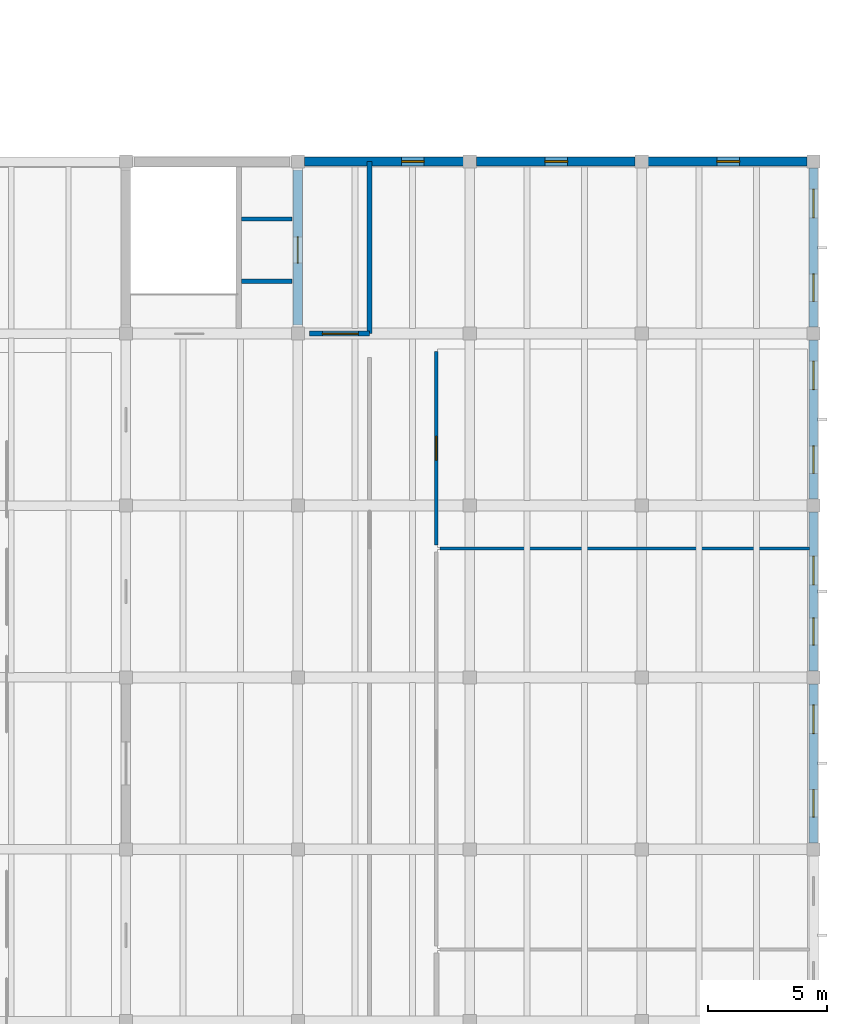
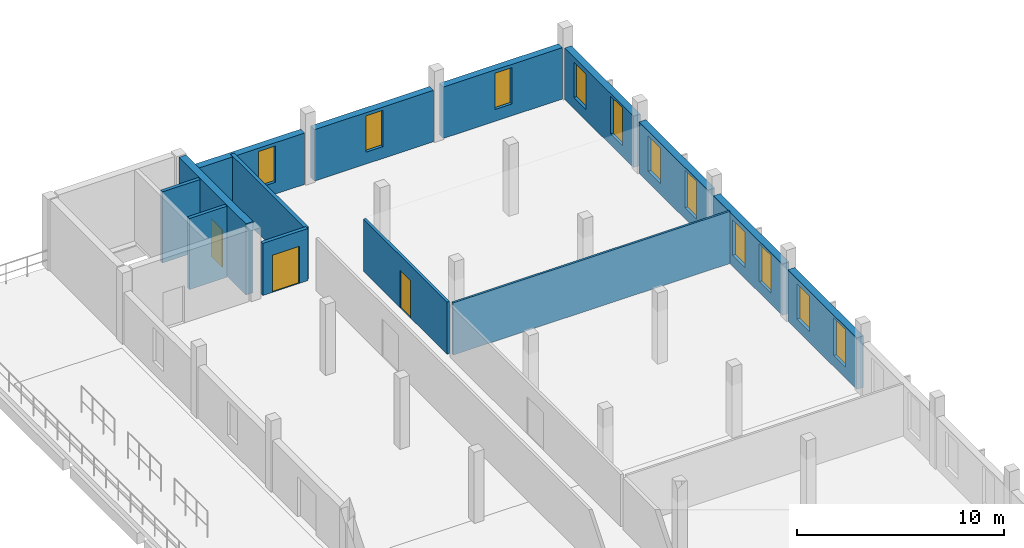
# One storey, part 57 of 63: 14 walls, 11 windows, 3 doors, 14 openings.
"""IFC4 building model written with IfcOpenShell, lengths in metres."""

from ifc_helpers import new_model, si_unit, direction, frame, frame_2d, origin, place, context, subcontext, project, spatial, rectangle, extrude, material, layer, layer_set, type_object, element, fill, save


model = new_model("IFC4")

# Units and contexts
model_context = context("Model", 3, precision=1e-05, world=origin(), true_north=direction((0.0, 1.0)))
body_context = subcontext(model_context, "Body", "Model", "MODEL_VIEW")
ifc_project = project(units=[si_unit("LENGTHUNIT", "METRE"), si_unit("AREAUNIT", "SQUARE_METRE"), si_unit("VOLUMEUNIT", "CUBIC_METRE"), si_unit("PLANEANGLEUNIT", "RADIAN"), si_unit("MASSUNIT", "GRAM", prefix="KILO")], contexts=[model_context])

# Site, building, storey
site_placement = place(None, origin())
site = spatial("IfcSite", under=ifc_project, at=site_placement, CompositionType="ELEMENT")
building_placement = place(site_placement, origin())
building = spatial("IfcBuilding", under=site, at=building_placement, Name="Qiaolan Assembly House", CompositionType="ELEMENT")
storey_placement = place(building_placement, frame((0.0, 0.0, 14.39990234375)))
storey = spatial("IfcBuildingStorey", under=building, at=storey_placement, Name="L03", CompositionType="ELEMENT", Elevation=14.39990234375)

# Wall, opening, door
ifc_material_1 = material(Name="Concrete C45/55", Category="concrete")
ifc_layer_1 = layer(ifc_material_1, 0.39990234375)
ifc_layer_set_1 = layer_set([ifc_layer_1], Name="Concrete C45/55")
wall_type_1 = type_object("IfcWallType", Name="WAL-CORE-400", PredefinedType="SHEAR", material=ifc_layer_set_1)
wall_1_placement = place(storey_placement, frame((151.199951171875, 79.550048828125, 0.0), z_axis=(0.0, 0.0, 1.0), x_axis=(0.0, 1.0, 0.0)))
wall_1 = element("IfcWall", 1, at=wall_1_placement, inside=storey, type_object=wall_type_1, Name="CW-400 shear core wall CORE-F E L03", PredefinedType="SHEAR", context=body_context, shape_type="SweptSolid", body=[
    extrude(rectangle(XDim=6.5, YDim=0.39990234375, at=frame_2d((3.25, 0.0))), origin(), (0.0, 0.0, 1.0), 4.2001953125),
])
opening_1_placement = place(wall_1_placement, frame((2.60009765625, 0.0, 0.0)))
opening_1 = element("IfcOpeningElement", 2, at=opening_1_placement, cuts=wall_1, Name="Opening LD-073", PredefinedType="OPENING", context=body_context, shape_type="SweptSolid", body=[
    extrude(rectangle(XDim=1.10009765625, YDim=2.199951171875, at=frame_2d((0.550048828125, 1.10009765625))), frame((0.0, 0.2099609375, 0.0), z_axis=(0.0, -1.0, 0.0), x_axis=(1.0, 0.0, 0.0)), (0.0, 0.0, 1.0), 0.419921875),
])
ifc_material_2 = material(Name="Anodised bronze aluminium", Category="aluminium")
door_type_1 = type_object("IfcDoorType", Name="DOR-LIFT-LD1100", OperationType="SLIDING_TO_LEFT", PredefinedType="DOOR", material=ifc_material_2)
door_1_placement = place(opening_1_placement, origin())
door_1 = element("IfcDoor", 3, at=door_1_placement, inside=storey, type_object=door_type_1, Name="Lift landing door LD-073 (LF-10 L03)", OperationType="SLIDING_TO_LEFT", OverallHeight=2.199951171875, OverallWidth=1.10009765625, PredefinedType="DOOR", context=body_context, shape_type="SweptSolid", body=[
    extrude(rectangle(XDim=1.10009765625, YDim=2.199951171875, at=frame_2d((0.550048828125, 1.10009765625))), frame((0.0, 0.02490234375, 0.0), z_axis=(0.0, -1.0, 0.0), x_axis=(1.0, 0.0, 0.0)), (0.0, 0.0, 1.0), 0.050048828125),
])
fill(opening_1, door_1)

# Wall, openings, windows
ifc_material_3 = material(Name="Honed pale limestone", Category="masonry")
ifc_layer_2 = layer(ifc_material_3, 0.3798828125)
ifc_layer_set_2 = layer_set([ifc_layer_2], Name="Honed pale limestone")
wall_type_2 = type_object("IfcWallType", Name="WAL-EXT-LIB-380", PredefinedType="SOLIDWALL", material=ifc_layer_set_2)
wall_2_placement = place(storey_placement, frame((172.800048828125, 64.527099609375, 0.0), z_axis=(0.0, 0.0, 1.0), x_axis=(0.0, -1.0, 0.0)))
wall_2 = element("IfcWall", 4, at=wall_2_placement, inside=storey, type_object=wall_type_2, Name="Library East avenue wall L03-5", PredefinedType="SOLIDWALL", context=body_context, shape_type="SweptSolid", body=[
    extrude(rectangle(XDim=6.654052734375, YDim=0.3798828125, at=frame_2d((3.3271484375, 0.0))), origin(), (0.0, 0.0, 1.0), 3.0400390625),
])
opening_2_placement = place(wall_2_placement, frame((0.876953125, 0.0, 0.64990234375)))
opening_2 = element("IfcOpeningElement", 5, at=opening_2_placement, cuts=wall_2, Name="Opening WN-497", PredefinedType="OPENING", context=body_context, shape_type="SweptSolid", body=[
    extrude(rectangle(XDim=1.199951171875, YDim=2.10009765625, at=frame_2d((0.60009765625, 1.050048828125))), frame((0.0, 0.199951171875, 0.0), z_axis=(0.0, -1.0, 0.0), x_axis=(1.0, 0.0, 0.0)), (0.0, 0.0, 1.0), 0.39990234375),
])
opening_3_placement = place(wall_2_placement, frame((4.427001953125, 0.0, 0.64990234375)))
opening_3 = element("IfcOpeningElement", 6, at=opening_3_placement, cuts=wall_2, Name="Opening WN-498", PredefinedType="OPENING", context=body_context, shape_type="SweptSolid", body=[
    extrude(rectangle(XDim=1.14990234375, YDim=2.239990234375, at=frame_2d((0.574951171875, 1.1201171875))), frame((0.0, 0.199951171875, 0.0), z_axis=(0.0, -1.0, 0.0), x_axis=(1.0, 0.0, 0.0)), (0.0, 0.0, 1.0), 0.39990234375),
])
ifc_material_4 = material(Name="Low-E double insulating glass", Category="glass")
window_type_1 = type_object("IfcWindowType", Name="WIN-ATTIC-1200x2100", PartitioningType="DOUBLE_PANEL_VERTICAL", PredefinedType="WINDOW", material=ifc_material_4)
window_1_placement = place(opening_2_placement, origin())
window_1 = element("IfcWindow", 7, at=window_1_placement, inside=storey, type_object=window_type_1, Name="Library reading window WN-497", OverallHeight=2.10009765625, OverallWidth=1.199951171875, PartitioningType="DOUBLE_PANEL_VERTICAL", PredefinedType="WINDOW", context=body_context, shape_type="SweptSolid", body=[
    extrude(rectangle(XDim=1.199951171875, YDim=2.10009765625, at=frame_2d((0.60009765625, 1.050048828125))), frame((0.0, 0.030029296875, 0.0), z_axis=(0.0, -1.0, 0.0), x_axis=(1.0, 0.0, 0.0)), (0.0, 0.0, 1.0), 0.06005859375),
])
fill(opening_2, window_1)
window_type_2 = type_object("IfcWindowType", Name="WIN-LIB-CARREL-1150x2300", PartitioningType="SINGLE_PANEL", PredefinedType="WINDOW", material=ifc_material_4)
window_2_placement = place(opening_3_placement, origin())
window_2 = element("IfcWindow", 8, at=window_2_placement, inside=storey, type_object=window_type_2, Name="Library reading window WN-498", OverallHeight=2.239990234375, OverallWidth=1.14990234375, PartitioningType="SINGLE_PANEL", PredefinedType="WINDOW", context=body_context, shape_type="SweptSolid", body=[
    extrude(rectangle(XDim=1.14990234375, YDim=2.239990234375, at=frame_2d((0.574951171875, 1.1201171875))), frame((0.0, 0.030029296875, 0.0), z_axis=(0.0, -1.0, 0.0), x_axis=(1.0, 0.0, 0.0)), (0.0, 0.0, 1.0), 0.06005859375),
])
fill(opening_3, window_2)

wall_3_placement = place(storey_placement, frame((172.800048828125, 71.72705078125, 0.0), z_axis=(0.0, 0.0, 1.0), x_axis=(0.0, -1.0, 0.0)))
wall_3 = element("IfcWall", 9, at=wall_3_placement, inside=storey, type_object=wall_type_2, Name="Library East avenue wall L03-6", PredefinedType="SOLIDWALL", context=body_context, shape_type="SweptSolid", body=[
    extrude(rectangle(XDim=6.654052734375, YDim=0.3798828125, at=frame_2d((3.3271484375, 0.0))), origin(), (0.0, 0.0, 1.0), 3.0400390625),
])
opening_4_placement = place(wall_3_placement, frame((1.846923828125, 0.0, 0.64990234375)))
opening_4 = element("IfcOpeningElement", 10, at=opening_4_placement, cuts=wall_3, Name="Opening WN-499", PredefinedType="OPENING", context=body_context, shape_type="SweptSolid", body=[
    extrude(rectangle(XDim=1.199951171875, YDim=2.10009765625, at=frame_2d((0.60009765625, 1.050048828125))), frame((0.0, 0.199951171875, 0.0), z_axis=(0.0, -1.0, 0.0), x_axis=(1.0, 0.0, 0.0)), (0.0, 0.0, 1.0), 0.39990234375),
])
opening_5_placement = place(wall_3_placement, frame((4.427001953125, 0.0, 0.64990234375)))
opening_5 = element("IfcOpeningElement", 11, at=opening_5_placement, cuts=wall_3, Name="Opening WN-500", PredefinedType="OPENING", context=body_context, shape_type="SweptSolid", body=[
    extrude(rectangle(XDim=1.14990234375, YDim=2.239990234375, at=frame_2d((0.574951171875, 1.1201171875))), frame((0.0, 0.199951171875, 0.0), z_axis=(0.0, -1.0, 0.0), x_axis=(1.0, 0.0, 0.0)), (0.0, 0.0, 1.0), 0.39990234375),
])
window_3_placement = place(opening_4_placement, origin())
window_3 = element("IfcWindow", 12, at=window_3_placement, inside=storey, type_object=window_type_1, Name="Library reading window WN-499", OverallHeight=2.10009765625, OverallWidth=1.199951171875, PartitioningType="DOUBLE_PANEL_VERTICAL", PredefinedType="WINDOW", context=body_context, shape_type="SweptSolid", body=[
    extrude(rectangle(XDim=1.199951171875, YDim=2.10009765625, at=frame_2d((0.60009765625, 1.050048828125))), frame((0.0, 0.030029296875, 0.0), z_axis=(0.0, -1.0, 0.0), x_axis=(1.0, 0.0, 0.0)), (0.0, 0.0, 1.0), 0.06005859375),
])
fill(opening_4, window_3)
window_4_placement = place(opening_5_placement, origin())
window_4 = element("IfcWindow", 13, at=window_4_placement, inside=storey, type_object=window_type_2, Name="Library reading window WN-500", OverallHeight=2.239990234375, OverallWidth=1.14990234375, PartitioningType="SINGLE_PANEL", PredefinedType="WINDOW", context=body_context, shape_type="SweptSolid", body=[
    extrude(rectangle(XDim=1.14990234375, YDim=2.239990234375, at=frame_2d((0.574951171875, 1.1201171875))), frame((0.0, 0.030029296875, 0.0), z_axis=(0.0, -1.0, 0.0), x_axis=(1.0, 0.0, 0.0)), (0.0, 0.0, 1.0), 0.06005859375),
])
fill(opening_5, window_4)

wall_4_placement = place(storey_placement, frame((172.800048828125, 78.927001953125, 0.0), z_axis=(0.0, 0.0, 1.0), x_axis=(0.0, -1.0, 0.0)))
wall_4 = element("IfcWall", 14, at=wall_4_placement, inside=storey, type_object=wall_type_2, Name="Library East avenue wall L03-7", PredefinedType="SOLIDWALL", context=body_context, shape_type="SweptSolid", body=[
    extrude(rectangle(XDim=6.654052734375, YDim=0.3798828125, at=frame_2d((3.3271484375, 0.0))), origin(), (0.0, 0.0, 1.0), 3.0400390625),
])
opening_6_placement = place(wall_4_placement, frame((0.876953125, 0.0, 0.64990234375)))
opening_6 = element("IfcOpeningElement", 15, at=opening_6_placement, cuts=wall_4, Name="Opening WN-502", PredefinedType="OPENING", context=body_context, shape_type="SweptSolid", body=[
    extrude(rectangle(XDim=1.199951171875, YDim=2.10009765625, at=frame_2d((0.60009765625, 1.050048828125))), frame((0.0, 0.199951171875, 0.0), z_axis=(0.0, -1.0, 0.0), x_axis=(1.0, 0.0, 0.0)), (0.0, 0.0, 1.0), 0.39990234375),
])
opening_7_placement = place(wall_4_placement, frame((4.427001953125, 0.0, 0.64990234375)))
opening_7 = element("IfcOpeningElement", 16, at=opening_7_placement, cuts=wall_4, Name="Opening WN-503", PredefinedType="OPENING", context=body_context, shape_type="SweptSolid", body=[
    extrude(rectangle(XDim=1.14990234375, YDim=2.239990234375, at=frame_2d((0.574951171875, 1.1201171875))), frame((0.0, 0.199951171875, 0.0), z_axis=(0.0, -1.0, 0.0), x_axis=(1.0, 0.0, 0.0)), (0.0, 0.0, 1.0), 0.39990234375),
])
window_5_placement = place(opening_6_placement, origin())
window_5 = element("IfcWindow", 17, at=window_5_placement, inside=storey, type_object=window_type_1, Name="Library reading window WN-502", OverallHeight=2.10009765625, OverallWidth=1.199951171875, PartitioningType="DOUBLE_PANEL_VERTICAL", PredefinedType="WINDOW", context=body_context, shape_type="SweptSolid", body=[
    extrude(rectangle(XDim=1.199951171875, YDim=2.10009765625, at=frame_2d((0.60009765625, 1.050048828125))), frame((0.0, 0.030029296875, 0.0), z_axis=(0.0, -1.0, 0.0), x_axis=(1.0, 0.0, 0.0)), (0.0, 0.0, 1.0), 0.06005859375),
])
fill(opening_6, window_5)
window_6_placement = place(opening_7_placement, origin())
window_6 = element("IfcWindow", 18, at=window_6_placement, inside=storey, type_object=window_type_2, Name="Library reading window WN-503", OverallHeight=2.239990234375, OverallWidth=1.14990234375, PartitioningType="SINGLE_PANEL", PredefinedType="WINDOW", context=body_context, shape_type="SweptSolid", body=[
    extrude(rectangle(XDim=1.14990234375, YDim=2.239990234375, at=frame_2d((0.574951171875, 1.1201171875))), frame((0.0, 0.030029296875, 0.0), z_axis=(0.0, -1.0, 0.0), x_axis=(1.0, 0.0, 0.0)), (0.0, 0.0, 1.0), 0.06005859375),
])
fill(opening_7, window_6)

wall_5_placement = place(storey_placement, frame((172.800048828125, 86.126953125, 0.0), z_axis=(0.0, 0.0, 1.0), x_axis=(0.0, -1.0, 0.0)))
wall_5 = element("IfcWall", 19, at=wall_5_placement, inside=storey, type_object=wall_type_2, Name="Library East avenue wall L03-8", PredefinedType="SOLIDWALL", context=body_context, shape_type="SweptSolid", body=[
    extrude(rectangle(XDim=6.654052734375, YDim=0.3798828125, at=frame_2d((3.3271484375, 0.0))), origin(), (0.0, 0.0, 1.0), 3.0400390625),
])
opening_8_placement = place(wall_5_placement, frame((0.876953125, 0.0, 0.64990234375)))
opening_8 = element("IfcOpeningElement", 20, at=opening_8_placement, cuts=wall_5, Name="Opening WN-505", PredefinedType="OPENING", context=body_context, shape_type="SweptSolid", body=[
    extrude(rectangle(XDim=1.199951171875, YDim=2.10009765625, at=frame_2d((0.60009765625, 1.050048828125))), frame((0.0, 0.199951171875, 0.0), z_axis=(0.0, -1.0, 0.0), x_axis=(1.0, 0.0, 0.0)), (0.0, 0.0, 1.0), 0.39990234375),
])
opening_9_placement = place(wall_5_placement, frame((4.427001953125, 0.0, 0.64990234375)))
opening_9 = element("IfcOpeningElement", 21, at=opening_9_placement, cuts=wall_5, Name="Opening WN-506", PredefinedType="OPENING", context=body_context, shape_type="SweptSolid", body=[
    extrude(rectangle(XDim=1.14990234375, YDim=2.239990234375, at=frame_2d((0.574951171875, 1.1201171875))), frame((0.0, 0.199951171875, 0.0), z_axis=(0.0, -1.0, 0.0), x_axis=(1.0, 0.0, 0.0)), (0.0, 0.0, 1.0), 0.39990234375),
])
window_7_placement = place(opening_8_placement, origin())
window_7 = element("IfcWindow", 22, at=window_7_placement, inside=storey, type_object=window_type_1, Name="Library reading window WN-505", OverallHeight=2.10009765625, OverallWidth=1.199951171875, PartitioningType="DOUBLE_PANEL_VERTICAL", PredefinedType="WINDOW", context=body_context, shape_type="SweptSolid", body=[
    extrude(rectangle(XDim=1.199951171875, YDim=2.10009765625, at=frame_2d((0.60009765625, 1.050048828125))), frame((0.0, 0.030029296875, 0.0), z_axis=(0.0, -1.0, 0.0), x_axis=(1.0, 0.0, 0.0)), (0.0, 0.0, 1.0), 0.06005859375),
])
fill(opening_8, window_7)
window_8_placement = place(opening_9_placement, origin())
window_8 = element("IfcWindow", 23, at=window_8_placement, inside=storey, type_object=window_type_2, Name="Library reading window WN-506", OverallHeight=2.239990234375, OverallWidth=1.14990234375, PartitioningType="SINGLE_PANEL", PredefinedType="WINDOW", context=body_context, shape_type="SweptSolid", body=[
    extrude(rectangle(XDim=1.14990234375, YDim=2.239990234375, at=frame_2d((0.574951171875, 1.1201171875))), frame((0.0, 0.030029296875, 0.0), z_axis=(0.0, -1.0, 0.0), x_axis=(1.0, 0.0, 0.0)), (0.0, 0.0, 1.0), 0.06005859375),
])
fill(opening_9, window_8)

# Wall, opening, window
wall_6_placement = place(storey_placement, frame((158.126953125, 86.39990234375, 0.0), z_axis=(0.0, 0.0, 1.0), x_axis=(-1.0, 0.0, 0.0)))
wall_6 = element("IfcWall", 24, at=wall_6_placement, inside=storey, type_object=wall_type_2, Name="Library North wall L03-2", PredefinedType="SOLIDWALL", context=body_context, shape_type="SweptSolid", body=[
    extrude(rectangle(XDim=6.654052734375, YDim=0.3798828125, at=frame_2d((3.3271484375, 0.0))), origin(), (0.0, 0.0, 1.0), 3.0400390625),
])
opening_10_placement = place(wall_6_placement, frame((1.633544921875, 0.0, 0.699951171875)))
opening_10 = element("IfcOpeningElement", 25, at=opening_10_placement, cuts=wall_6, Name="Opening WN-508", PredefinedType="OPENING", context=body_context, shape_type="SweptSolid", body=[
    extrude(rectangle(XDim=0.949951171875, YDim=2.14990234375, at=frame_2d((0.47509765625, 1.074951171875))), frame((0.0, 0.199951171875, 0.0), z_axis=(0.0, -1.0, 0.0), x_axis=(1.0, 0.0, 0.0)), (0.0, 0.0, 1.0), 0.39990234375),
])
window_type_3 = type_object("IfcWindowType", Name="WIN-PUNCH-950x2150", PartitioningType="SINGLE_PANEL", PredefinedType="WINDOW", material=ifc_material_4)
window_9_placement = place(opening_10_placement, origin())
window_9 = element("IfcWindow", 26, at=window_9_placement, inside=storey, type_object=window_type_3, Name="Library North window WN-508", OverallHeight=2.14990234375, OverallWidth=0.949951171875, PartitioningType="SINGLE_PANEL", PredefinedType="WINDOW", context=body_context, shape_type="SweptSolid", body=[
    extrude(rectangle(XDim=0.949951171875, YDim=2.14990234375, at=frame_2d((0.47509765625, 1.074951171875))), frame((0.0, 0.030029296875, 0.0), z_axis=(0.0, -1.0, 0.0), x_axis=(1.0, 0.0, 0.0)), (0.0, 0.0, 1.0), 0.06005859375),
])
fill(opening_10, window_9)

wall_7_placement = place(storey_placement, frame((165.326904296875, 86.39990234375, 0.0), z_axis=(0.0, 0.0, 1.0), x_axis=(-1.0, 0.0, 0.0)))
wall_7 = element("IfcWall", 27, at=wall_7_placement, inside=storey, type_object=wall_type_2, Name="Library North wall L03-3", PredefinedType="SOLIDWALL", context=body_context, shape_type="SweptSolid", body=[
    extrude(rectangle(XDim=6.65380859375, YDim=0.3798828125, at=frame_2d((3.326904296875, 0.0))), origin(), (0.0, 0.0, 1.0), 3.0400390625),
])
opening_11_placement = place(wall_7_placement, frame((2.826904296875, 0.0, 0.699951171875)))
opening_11 = element("IfcOpeningElement", 28, at=opening_11_placement, cuts=wall_7, Name="Opening WN-510", PredefinedType="OPENING", context=body_context, shape_type="SweptSolid", body=[
    extrude(rectangle(XDim=0.949951171875, YDim=2.14990234375, at=frame_2d((0.47509765625, 1.074951171875))), frame((0.0, 0.199951171875, 0.0), z_axis=(0.0, -1.0, 0.0), x_axis=(1.0, 0.0, 0.0)), (0.0, 0.0, 1.0), 0.39990234375),
])
window_10_placement = place(opening_11_placement, origin())
window_10 = element("IfcWindow", 29, at=window_10_placement, inside=storey, type_object=window_type_3, Name="Library North window WN-510", OverallHeight=2.14990234375, OverallWidth=0.949951171875, PartitioningType="SINGLE_PANEL", PredefinedType="WINDOW", context=body_context, shape_type="SweptSolid", body=[
    extrude(rectangle(XDim=0.949951171875, YDim=2.14990234375, at=frame_2d((0.47509765625, 1.074951171875))), frame((0.0, 0.030029296875, 0.0), z_axis=(0.0, -1.0, 0.0), x_axis=(1.0, 0.0, 0.0)), (0.0, 0.0, 1.0), 0.06005859375),
])
fill(opening_11, window_10)

wall_8_placement = place(storey_placement, frame((172.527099609375, 86.39990234375, 0.0), z_axis=(0.0, 0.0, 1.0), x_axis=(-1.0, 0.0, 0.0)))
wall_8 = element("IfcWall", 30, at=wall_8_placement, inside=storey, type_object=wall_type_2, Name="Library North wall L03-4", PredefinedType="SOLIDWALL", context=body_context, shape_type="SweptSolid", body=[
    extrude(rectangle(XDim=6.654052734375, YDim=0.3798828125, at=frame_2d((3.3271484375, 0.0))), origin(), (0.0, 0.0, 1.0), 3.0400390625),
])
opening_12_placement = place(wall_8_placement, frame((2.826904296875, 0.0, 0.699951171875)))
opening_12 = element("IfcOpeningElement", 31, at=opening_12_placement, cuts=wall_8, Name="Opening WN-512", PredefinedType="OPENING", context=body_context, shape_type="SweptSolid", body=[
    extrude(rectangle(XDim=0.949951171875, YDim=2.14990234375, at=frame_2d((0.47509765625, 1.074951171875))), frame((0.0, 0.199951171875, 0.0), z_axis=(0.0, -1.0, 0.0), x_axis=(1.0, 0.0, 0.0)), (0.0, 0.0, 1.0), 0.39990234375),
])
window_11_placement = place(opening_12_placement, origin())
window_11 = element("IfcWindow", 32, at=window_11_placement, inside=storey, type_object=window_type_3, Name="Library North window WN-512", OverallHeight=2.14990234375, OverallWidth=0.949951171875, PartitioningType="SINGLE_PANEL", PredefinedType="WINDOW", context=body_context, shape_type="SweptSolid", body=[
    extrude(rectangle(XDim=0.949951171875, YDim=2.14990234375, at=frame_2d((0.47509765625, 1.074951171875))), frame((0.0, 0.030029296875, 0.0), z_axis=(0.0, -1.0, 0.0), x_axis=(1.0, 0.0, 0.0)), (0.0, 0.0, 1.0), 0.06005859375),
])
fill(opening_12, window_11)

# Wall
ifc_material_5 = material(Name="Concrete C35/45", Category="concrete")
ifc_layer_3 = layer(ifc_material_5, 0.199951171875)
ifc_layer_set_3 = layer_set([ifc_layer_3], Name="Concrete C35/45")
wall_type_3 = type_object("IfcWallType", Name="WAL-LOBBY-200", PredefinedType="PARTITIONING", material=ifc_layer_set_3)
wall_9_placement = place(storey_placement, frame((154.199951171875, 79.199951171875, 0.0), z_axis=(0.0, 0.0, 1.0), x_axis=(0.0, 1.0, 0.0)))
element("IfcWall", 33, at=wall_9_placement, inside=storey, type_object=wall_type_3, Name="Firefighting lift lobby east wall CORE-F L03", PredefinedType="PARTITIONING", context=body_context, shape_type="SweptSolid", body=[
    extrude(rectangle(XDim=7.199951171875, YDim=0.199951171875, at=frame_2d((3.60009765625, 0.0))), origin(), (0.0, 0.0, 1.0), 3.080078125),
])

# Wall, opening, door
wall_10_placement = place(storey_placement, frame((151.679931640625, 79.199951171875, 0.0), z_axis=(0.0, 0.0, 1.0), x_axis=(1.0, 0.0, 0.0)))
wall_10 = element("IfcWall", 34, at=wall_10_placement, inside=storey, type_object=wall_type_3, Name="Firefighting lift lobby south wall CORE-F L03", PredefinedType="PARTITIONING", context=body_context, shape_type="SweptSolid", body=[
    extrude(rectangle(XDim=2.52001953125, YDim=0.199951171875, at=frame_2d((1.260009765625, 0.0))), origin(), (0.0, 0.0, 1.0), 3.080078125),
])
opening_13_placement = place(wall_10_placement, frame((0.550048828125, 0.0, 0.0)))
opening_13 = element("IfcOpeningElement", 35, at=opening_13_placement, cuts=wall_10, Name="Opening FD-134", PredefinedType="OPENING", context=body_context, shape_type="SweptSolid", body=[
    extrude(rectangle(XDim=1.5, YDim=2.199951171875, at=frame_2d((0.75, 1.10009765625))), frame((0.0, 0.10986328125, 0.0), z_axis=(0.0, -1.0, 0.0), x_axis=(1.0, 0.0, 0.0)), (0.0, 0.0, 1.0), 0.219970703125),
])
ifc_material_6 = material(Name="Acoustic oak panelling")
door_type_2 = type_object("IfcDoorType", Name="DOR-LOBBY-FD60-1500", OperationType="DOUBLE_DOOR_SINGLE_SWING", PredefinedType="DOOR", material=ifc_material_6)
door_2_placement = place(opening_13_placement, frame((1.5, 0.0, 0.0), z_axis=(0.0, 0.0, 1.0), x_axis=(-1.0, 0.0, 0.0)))
door_2 = element("IfcDoor", 36, at=door_2_placement, inside=storey, type_object=door_type_2, Name="Lobby corridor fire door FD-134", OperationType="DOUBLE_DOOR_SINGLE_SWING", OverallHeight=2.199951171875, OverallWidth=1.5, PredefinedType="DOOR", context=body_context, shape_type="SweptSolid", body=[
    extrude(rectangle(XDim=1.5, YDim=2.199951171875, at=frame_2d((0.75, 1.10009765625))), frame((0.0, 0.02490234375, 0.0), z_axis=(0.0, -1.0, 0.0), x_axis=(1.0, 0.0, 0.0)), (0.0, 0.0, 1.0), 0.050048828125),
])
fill(opening_13, door_2)

# Wall
ifc_material_7 = material(Name="Gypsum plasterboard partition")
ifc_layer_4 = layer(ifc_material_7, 0.1201171875)
ifc_layer_set_4 = layer_set([ifc_layer_4], Name="Gypsum plasterboard partition")
wall_type_4 = type_object("IfcWallType", Name="WAL-PART-120", PredefinedType="PARTITIONING", material=ifc_layer_set_4)
wall_11_placement = place(storey_placement, frame((157.14990234375, 70.199951171875, 0.0), z_axis=(0.0, 0.0, 1.0), x_axis=(1.0, 0.0, 0.0)))
element("IfcWall", 37, at=wall_11_placement, inside=storey, type_object=wall_type_4, Name="Chief Librarian & Archivist Suite demising wall", PredefinedType="PARTITIONING", context=body_context, shape_type="SweptSolid", body=[
    extrude(rectangle(XDim=15.47021484375, YDim=0.1201171875, at=frame_2d((7.735107421875, 0.0))), origin(), (0.0, 0.0, 1.0), 3.080078125),
])

# Wall, opening, door
ifc_layer_5 = layer(ifc_material_7, 0.14990234375)
ifc_layer_set_5 = layer_set([ifc_layer_5], Name="Gypsum plasterboard partition")
wall_type_5 = type_object("IfcWallType", Name="WAL-PART-150", PredefinedType="PARTITIONING", material=ifc_layer_set_5)
wall_12_placement = place(storey_placement, frame((157.0, 70.35009765625, 0.0), z_axis=(0.0, 0.0, 1.0), x_axis=(0.0, 1.0, 0.0)))
wall_12 = element("IfcWall", 38, at=wall_12_placement, inside=storey, type_object=wall_type_5, Name="Chief Librarian & Archivist Suite corridor wall", PredefinedType="PARTITIONING", context=body_context, shape_type="SweptSolid", body=[
    extrude(rectangle(XDim=8.099853515625, YDim=0.14990234375, at=frame_2d((4.0498046875, 0.0))), origin(), (0.0, 0.0, 1.0), 3.080078125),
])
opening_14_placement = place(wall_12_placement, frame((3.550048828125, 0.0, 0.0)))
opening_14 = element("IfcOpeningElement", 39, at=opening_14_placement, cuts=wall_12, Name="Opening MD-292", PredefinedType="OPENING", context=body_context, shape_type="SweptSolid", body=[
    extrude(rectangle(XDim=1.0, YDim=2.199951171875, at=frame_2d((0.5, 1.10009765625))), frame((0.0, 0.0849609375, 0.0), z_axis=(0.0, -1.0, 0.0), x_axis=(1.0, 0.0, 0.0)), (0.0, 0.0, 1.0), 0.169921875),
])
door_type_3 = type_object("IfcDoorType", Name="DOR-OFF-SGL-1000", OperationType="NOTDEFINED", PredefinedType="DOOR", material=ifc_material_6)
door_3_placement = place(opening_14_placement, origin())
door_3 = element("IfcDoor", 40, at=door_3_placement, inside=storey, type_object=door_type_3, Name="Chief Librarian & Archivist Suite door MD-292", OperationType="SINGLE_SWING_RIGHT", OverallHeight=2.199951171875, OverallWidth=1.0, PredefinedType="DOOR", context=body_context, shape_type="SweptSolid", body=[
    extrude(rectangle(XDim=1.0, YDim=2.199951171875, at=frame_2d((0.5, 1.10009765625))), frame((0.0, 0.02490234375, 0.0), z_axis=(0.0, -1.0, 0.0), x_axis=(1.0, 0.0, 0.0)), (0.0, 0.0, 1.0), 0.050048828125),
])
fill(opening_14, door_3)

# Walls
ifc_layer_6 = layer(ifc_material_5, 0.18505859375)
ifc_layer_set_6 = layer_set([ifc_layer_6], Name="Concrete C35/45")
wall_type_6 = type_object("IfcWallType", Name="WAL-SHAFT-200", PredefinedType="PARTITIONING", material=ifc_layer_set_6)
for number, where, z_axis, x_axis, name in (
    (41, (148.85009765625, 81.39990234375, 0.0), (0.0, 0.0, 1.0), (1.0, 0.0, 0.0), "SW-200 lift shaft wall LF-10 L03 DIVS"),
    (42, (148.85009765625, 84.0, 0.0), (0.0, 0.0, 1.0), (1.0, 0.0, 0.0), "SW-200 lift shaft wall LF-10 L03 DIVN"),
):
    element("IfcWall", number, at=place(storey_placement, frame(where, z_axis=z_axis, x_axis=x_axis)), inside=storey, type_object=wall_type_6, Name=name, PredefinedType="PARTITIONING", context=body_context, shape_type="SweptSolid", body=[
        extrude(rectangle(XDim=2.099853515625, YDim=0.18505859375, at=frame_2d((1.0498046875, 0.0))), origin(), (0.0, 0.0, 1.0), 4.2001953125),
    ])

save(model, "model.ifc")
